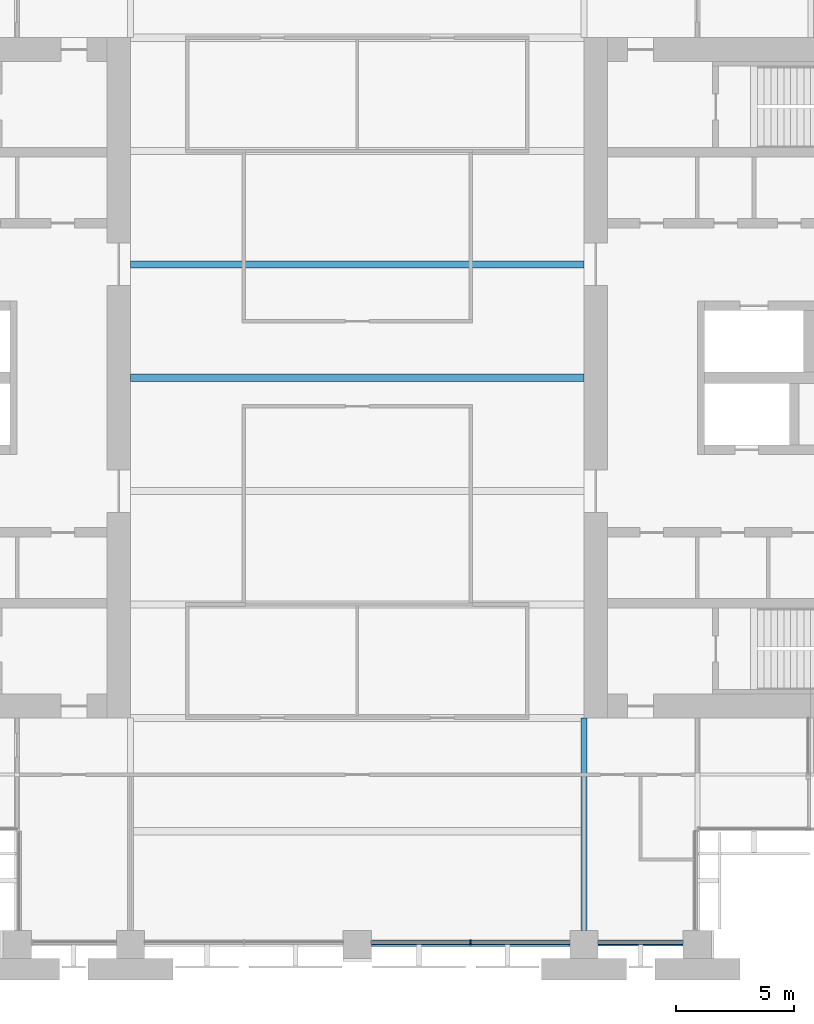
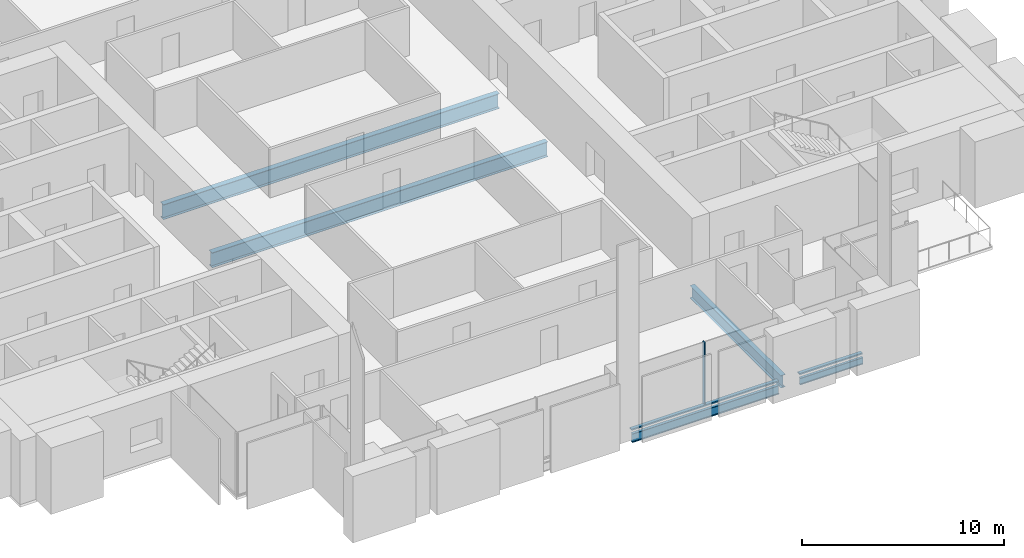
# One storey, part 3 of 14: 5 beams, 3 members, 1 element without a shape of its own.
"""IFC4 building model written with IfcOpenShell, lengths in metres."""

from ifc_helpers import new_model, si_unit, direction, frame, origin, origin_2d, place, context, subcontext, project, spatial, rectangle, i_section, extrude, material, material_profile, profile_set, type_object, element, aggregate, save


model = new_model("IFC4")

# Units and contexts
model_context = context("Model", 3, precision=1e-05, world=origin(), true_north=direction((0.0, 1.0)))
body_context = subcontext(model_context, "Body", "Model", "MODEL_VIEW")
ifc_project = project(units=[si_unit("LENGTHUNIT", "METRE"), si_unit("AREAUNIT", "SQUARE_METRE"), si_unit("VOLUMEUNIT", "CUBIC_METRE"), si_unit("PLANEANGLEUNIT", "RADIAN"), si_unit("MASSUNIT", "GRAM", prefix="KILO")], contexts=[model_context])

# Site, building, storey
site_placement = place(None, origin())
site = spatial("IfcSite", under=ifc_project, at=site_placement, CompositionType="ELEMENT")
building_placement = place(site_placement, origin())
building = spatial("IfcBuilding", under=site, at=building_placement, Name="Baori Bourse Tower", CompositionType="ELEMENT")
storey_placement = place(building_placement, frame((0.0, 0.0, 120.10009765625)))
storey = spatial("IfcBuildingStorey", under=building, at=storey_placement, Name="L25", CompositionType="ELEMENT", Elevation=120.10009765625)

# Curtain wall, members
ifc_material_1 = material(Name="Pale anodised aluminium", Category="aluminium")
curtain_wall_type = type_object("IfcCurtainWallType", Name="CW1 Curtain wall", PredefinedType="NOTDEFINED", material=ifc_material_1)
curtain_wall_placement = place(storey_placement, origin())
curtain_wall = element("IfcCurtainWall", 1, at=curtain_wall_placement, inside=storey, type_object=curtain_wall_type, Name="Curtain wall CW1 L25 11", PredefinedType="NOTDEFINED")
ifc_material_2 = material(Name="Pale anodised aluminium", Category="aluminium")
ifc_material_profile_1 = material_profile(ifc_material_2, rectangle(XDim=0.199951171875, YDim=0.06005859375, at=origin_2d()), Name="Mullion 60x200")
ifc_profile_set_1 = profile_set([ifc_material_profile_1], Name="Pale anodised aluminium")
member_type_1 = type_object("IfcMemberType", Name="CW1 Curtain wall mullion", PredefinedType="MULLION", material=ifc_profile_set_1)
member_1_placement = place(storey_placement, frame((33.60009765625, 0.10009765625, 0.079833984375), z_axis=(0.0, 0.0, 1.0), x_axis=(0.0, 1.0, 0.0)))
member_1 = element("IfcMember", 2, at=member_1_placement, type_object=member_type_1, Name="Curtain wall CW1 mullion", PredefinedType="MULLION", context=body_context, shape_type="SweptSolid", body=[
    extrude(rectangle(XDim=0.199951171875, YDim=0.06005859375, at=origin_2d()), origin(), (0.0, 0.0, 1.0), 3.760009765625),
])
ifc_material_3 = material(Name="Pale anodised aluminium", Category="aluminium")
ifc_material_profile_2 = material_profile(ifc_material_3, rectangle(XDim=0.199951171875, YDim=0.080078125, at=origin_2d()), Name="Transom 80x200")
ifc_profile_set_2 = profile_set([ifc_material_profile_2], Name="Pale anodised aluminium")
member_type_2 = type_object("IfcMemberType", Name="CW1 Curtain wall transom", PredefinedType="USERDEFINED", material=ifc_profile_set_2)
member_2_placement = place(storey_placement, frame((29.39990234375, 0.10009765625, 0.039794921875), z_axis=(1.0, 0.0, 0.0), x_axis=(0.0, 1.0, 0.0)))
member_2 = element("IfcMember", 3, at=member_2_placement, type_object=member_type_2, Name="Curtain wall CW1 sill rail", ObjectType="TRANSOM", PredefinedType="USERDEFINED", context=body_context, shape_type="SweptSolid", body=[
    extrude(rectangle(XDim=0.199951171875, YDim=0.080078125, at=origin_2d()), origin(), (0.0, 0.0, 1.0), 8.400146484375),
])
member_3_placement = place(storey_placement, frame((39.0, 0.10009765625, 0.039794921875), z_axis=(1.0, 0.0, 0.0), x_axis=(0.0, 1.0, 0.0)))
member_3 = element("IfcMember", 4, at=member_3_placement, type_object=member_type_2, Name="Curtain wall CW1 sill rail", ObjectType="TRANSOM", PredefinedType="USERDEFINED", context=body_context, shape_type="SweptSolid", body=[
    extrude(rectangle(XDim=0.199951171875, YDim=0.080078125, at=origin_2d()), origin(), (0.0, 0.0, 1.0), 3.60009765625),
])
aggregate(curtain_wall, [member_2, member_1, member_3])

# Beams
ifc_material_4 = material(Name="Steel A992 Gr 50", Category="steel")
ifc_material_profile_3 = material_profile(ifc_material_4, i_section(OverallWidth=0.140380859375, OverallDepth=0.40380859375, WebThickness=0.007080078125, FlangeThickness=0.01123046875, at=origin_2d()), Name="W16x31")
ifc_profile_set_3 = profile_set([ifc_material_profile_3], Name="Steel A992 Gr 50")
beam_type_1 = type_object("IfcBeamType", Name="Edge beam W16x31", PredefinedType="BEAM", material=ifc_profile_set_3)
beam_1_placement = place(storey_placement, frame((39.0, 0.0, -0.362060546875), z_axis=(1.0, 0.0, 0.0), x_axis=(0.0, 1.0, 0.0)))
element("IfcBeam", 5, at=beam_1_placement, inside=storey, type_object=beam_type_1, Name="Edge beam L25", PredefinedType="BEAM", context=body_context, shape_type="SweptSolid", body=[
    extrude(i_section(OverallWidth=0.140380859375, OverallDepth=0.40380859375, WebThickness=0.007080078125, FlangeThickness=0.01123046875, at=origin_2d()), origin(), (0.0, 0.0, 1.0), 3.60009765625),
])
ifc_material_5 = material(Name="Steel A992 Gr 50", Category="steel")
ifc_material_profile_4 = material_profile(ifc_material_5, i_section(OverallWidth=0.1650390625, OverallDepth=0.52587890625, WebThickness=0.0087890625, FlangeThickness=0.011474609375, at=origin_2d()), Name="W21x44")
ifc_profile_set_4 = profile_set([ifc_material_profile_4], Name="Steel A992 Gr 50")
beam_type_2 = type_object("IfcBeamType", Name="Edge beam W21x44", PredefinedType="BEAM", material=ifc_profile_set_4)
beam_2_placement = place(storey_placement, frame((29.39990234375, 0.0, -0.423095703125), z_axis=(1.0, 0.0, 0.0), x_axis=(0.0, 1.0, 0.0)))
element("IfcBeam", 6, at=beam_2_placement, inside=storey, type_object=beam_type_2, Name="Edge beam L25", PredefinedType="BEAM", context=body_context, shape_type="SweptSolid", body=[
    extrude(i_section(OverallWidth=0.1650390625, OverallDepth=0.52587890625, WebThickness=0.0087890625, FlangeThickness=0.011474609375, at=origin_2d()), origin(), (0.0, 0.0, 1.0), 8.400146484375),
])
ifc_material_6 = material(Name="Steel A992 Gr 50", Category="steel")
ifc_material_profile_5 = material_profile(ifc_material_6, i_section(OverallWidth=0.3046875, OverallDepth=0.904296875, WebThickness=0.01513671875, FlangeThickness=0.02001953125, at=origin_2d()), Name="W36x135")
ifc_profile_set_5 = profile_set([ifc_material_profile_5], Name="Steel A992 Gr 50")
beam_type_3 = type_object("IfcBeamType", Name="Floor beam W36x135", PredefinedType="BEAM", material=ifc_profile_set_5)
for number, where, z_axis, x_axis, name in (
    (7, (19.199951171875, 24.0, -0.6123046875), (1.0, 0.0, 0.0), (0.0, 1.0, 0.0), "Floor beam L25"),
    (8, (19.199951171875, 28.800048828125, -0.6123046875), (1.0, 0.0, 0.0), (0.0, 1.0, 0.0), "Floor beam L25"),
):
    element("IfcBeam", number, at=place(storey_placement, frame(where, z_axis=z_axis, x_axis=x_axis)), inside=storey, type_object=beam_type_3, Name=name, PredefinedType="BEAM", context=body_context, shape_type="SweptSolid", body=[
        extrude(i_section(OverallWidth=0.3046875, OverallDepth=0.904296875, WebThickness=0.01513671875, FlangeThickness=0.02001953125, at=origin_2d()), origin(), (0.0, 0.0, 1.0), 19.199951171875),
    ])
ifc_material_7 = material(Name="Steel A992 Gr 50", Category="steel")
ifc_material_profile_6 = material_profile(ifc_material_7, i_section(OverallWidth=0.26416015625, OverallDepth=0.749267578125, WebThickness=0.011962890625, FlangeThickness=0.015380859375, at=origin_2d()), Name="W30x90")
ifc_profile_set_6 = profile_set([ifc_material_profile_6], Name="Steel A992 Gr 50")
beam_type_4 = type_object("IfcBeamType", Name="Girder W30x90", PredefinedType="BEAM", material=ifc_profile_set_6)
beam_3_placement = place(storey_placement, frame((38.39990234375, 0.60009765625, -0.53466796875), z_axis=(0.0, 1.0, 0.0), x_axis=(-1.0, 0.0, 0.0)))
element("IfcBeam", 9, at=beam_3_placement, inside=storey, type_object=beam_type_4, Name="Girder L25", PredefinedType="BEAM", context=body_context, shape_type="SweptSolid", body=[
    extrude(i_section(OverallWidth=0.26416015625, OverallDepth=0.749267578125, WebThickness=0.011962890625, FlangeThickness=0.015380859375, at=origin_2d()), origin(), (0.0, 0.0, 1.0), 9.0),
])

save(model, "model.ifc")
